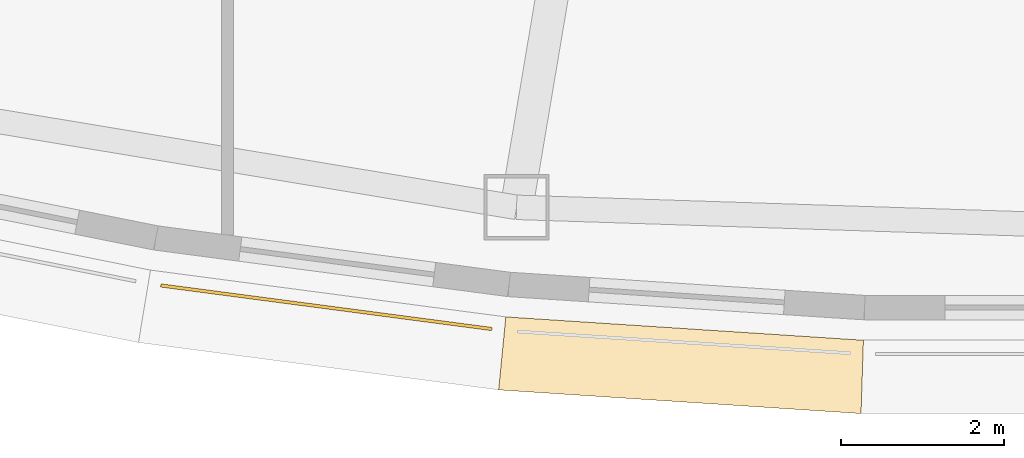
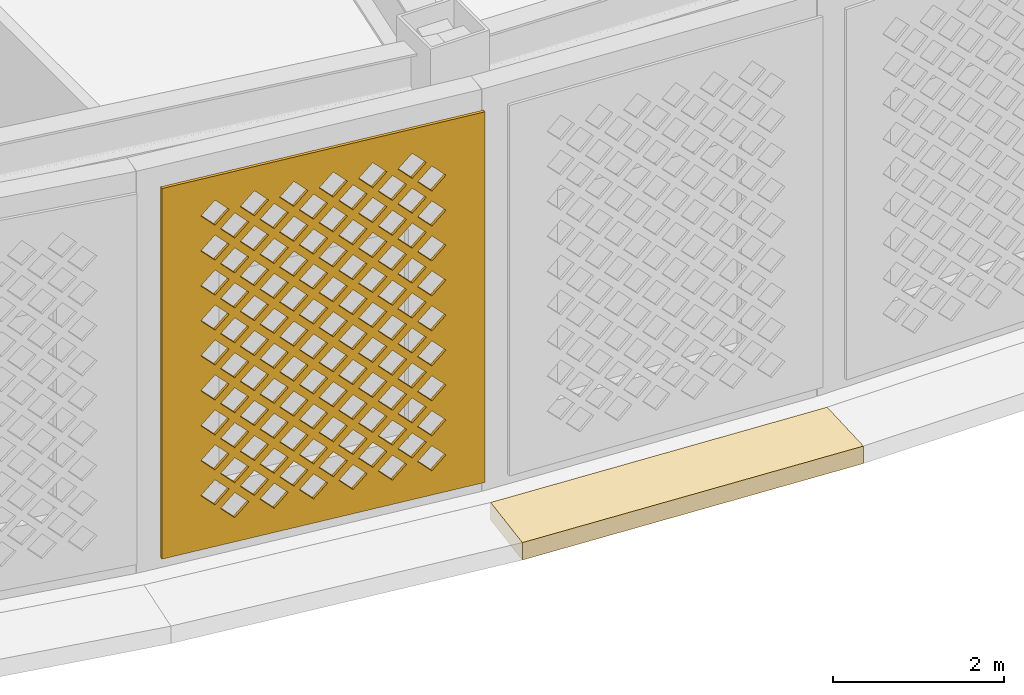
# One storey, part 56 of 74: 2 coverings.
"""IFC4 building model written with IfcOpenShell, lengths in metres."""

from ifc_helpers import new_model, si_unit, direction, frame, origin, place, context, subcontext, project, spatial, polyline, outline, extrude, material, layer, layer_set, type_object, element, save


model = new_model("IFC4")

# Units and contexts
model_context = context("Model", 3, precision=1e-05, world=origin(), true_north=direction((0.0, 1.0)))
body_context = subcontext(model_context, "Body", "Model", "MODEL_VIEW")
ifc_project = project(units=[si_unit("LENGTHUNIT", "METRE"), si_unit("AREAUNIT", "SQUARE_METRE"), si_unit("VOLUMEUNIT", "CUBIC_METRE"), si_unit("PLANEANGLEUNIT", "RADIAN"), si_unit("MASSUNIT", "GRAM", prefix="KILO")], contexts=[model_context])

# Site, building, storey
site_placement = place(None, origin())
site = spatial("IfcSite", under=ifc_project, at=site_placement, CompositionType="ELEMENT")
building_placement = place(site_placement, origin())
building = spatial("IfcBuilding", under=site, at=building_placement, Name="Noorbagh Ring Tower", CompositionType="ELEMENT")
storey_placement = place(building_placement, frame((0.0, 0.0, 13.5)))
storey = spatial("IfcBuildingStorey", under=building, at=storey_placement, Name="L02", CompositionType="ELEMENT", Elevation=13.5)

# Coverings
ifc_material_1 = material(Name="Red sandstone eave", Category="masonry")
covering_type_1 = type_object("IfcCoveringType", Name="STY-CHHAJJA", PredefinedType="USERDEFINED", material=ifc_material_1)
covering_1_placement = place(storey_placement, frame((0.0, 0.0, -0.25)))
element("IfcCovering", 1, at=covering_1_placement, inside=storey, type_object=covering_type_1, Name="Chhajja eave", ObjectType="CHHAJJA", PredefinedType="USERDEFINED", context=body_context, shape_type="SweptSolid", body=[
    extrude(outline(polyline([(-6.586181640625, -39.677978515625), (-2.198486328125, -39.964111328125), (-2.227783203125, -40.8642578125), (-6.67431640625, -40.573974609375), (-6.586181640625, -39.677978515625)])), origin(), (0.0, 0.0, 1.0), 0.25),
])
ifc_material_2 = material(Name="Red sandstone jali", Category="masonry")
ifc_layer = layer(ifc_material_2, 0.0400390625)
ifc_layer_set = layer_set([ifc_layer], Name="Red sandstone jali")
covering_type_2 = type_object("IfcCoveringType", Name="STY-JALI", PredefinedType="USERDEFINED", material=ifc_layer_set)
covering_2_placement = place(storey_placement, frame((-10.82177734375, -39.311767578125, 0.449951171875), z_axis=(-0.130559329934, -0.991440498148, 0.0), x_axis=(0.991440498148, -0.130559329934, 0.0)))
element("IfcCovering", 2, at=covering_2_placement, inside=storey, type_object=covering_type_2, Name="Jali screen", ObjectType="SCREEN", PredefinedType="USERDEFINED", context=body_context, shape_type="SweptSolid", body=[
    extrude(outline(polyline([(0.0, 0.0), (4.09716796875, 0.0), (4.09716796875, 5.300048828125), (0.0, 5.300048828125), (0.0, 0.0)]), holes=[polyline([(0.743408203125, 0.52490234375), (0.923583984375, 0.344970703125), (1.103515625, 0.52490234375), (0.923583984375, 0.705078125), (0.743408203125, 0.52490234375)]), polyline([(1.243408203125, 0.52490234375), (1.423583984375, 0.344970703125), (1.603515625, 0.52490234375), (1.423583984375, 0.705078125), (1.243408203125, 0.52490234375)]), polyline([(1.743408203125, 0.52490234375), (1.923583984375, 0.344970703125), (2.103515625, 0.52490234375), (1.923583984375, 0.705078125), (1.743408203125, 0.52490234375)]), polyline([(2.243408203125, 0.52490234375), (2.423583984375, 0.344970703125), (2.603515625, 0.52490234375), (2.423583984375, 0.705078125), (2.243408203125, 0.52490234375)]), polyline([(2.743408203125, 0.52490234375), (2.923583984375, 0.344970703125), (3.103515625, 0.52490234375), (2.923583984375, 0.705078125), (2.743408203125, 0.52490234375)]), polyline([(3.243408203125, 0.52490234375), (3.423583984375, 0.344970703125), (3.603515625, 0.52490234375), (3.423583984375, 0.705078125), (3.243408203125, 0.52490234375)]), polyline([(0.493408203125, 0.77490234375), (0.673583984375, 0.594970703125), (0.853515625, 0.77490234375), (0.673583984375, 0.955078125), (0.493408203125, 0.77490234375)]), polyline([(0.993408203125, 0.77490234375), (1.173583984375, 0.594970703125), (1.353515625, 0.77490234375), (1.173583984375, 0.955078125), (0.993408203125, 0.77490234375)]), polyline([(1.493408203125, 0.77490234375), (1.673583984375, 0.594970703125), (1.853515625, 0.77490234375), (1.673583984375, 0.955078125), (1.493408203125, 0.77490234375)]), polyline([(1.993408203125, 0.77490234375), (2.173583984375, 0.594970703125), (2.353515625, 0.77490234375), (2.173583984375, 0.955078125), (1.993408203125, 0.77490234375)]), polyline([(2.493408203125, 0.77490234375), (2.673583984375, 0.594970703125), (2.853515625, 0.77490234375), (2.673583984375, 0.955078125), (2.493408203125, 0.77490234375)]), polyline([(2.993408203125, 0.77490234375), (3.173583984375, 0.594970703125), (3.353515625, 0.77490234375), (3.173583984375, 0.955078125), (2.993408203125, 0.77490234375)]), polyline([(0.743408203125, 1.02490234375), (0.923583984375, 0.844970703125), (1.103515625, 1.02490234375), (0.923583984375, 1.205078125), (0.743408203125, 1.02490234375)]), polyline([(1.243408203125, 1.02490234375), (1.423583984375, 0.844970703125), (1.603515625, 1.02490234375), (1.423583984375, 1.205078125), (1.243408203125, 1.02490234375)]), polyline([(1.743408203125, 1.02490234375), (1.923583984375, 0.844970703125), (2.103515625, 1.02490234375), (1.923583984375, 1.205078125), (1.743408203125, 1.02490234375)]), polyline([(2.243408203125, 1.02490234375), (2.423583984375, 0.844970703125), (2.603515625, 1.02490234375), (2.423583984375, 1.205078125), (2.243408203125, 1.02490234375)]), polyline([(2.743408203125, 1.02490234375), (2.923583984375, 0.844970703125), (3.103515625, 1.02490234375), (2.923583984375, 1.205078125), (2.743408203125, 1.02490234375)]), polyline([(3.243408203125, 1.02490234375), (3.423583984375, 0.844970703125), (3.603515625, 1.02490234375), (3.423583984375, 1.205078125), (3.243408203125, 1.02490234375)]), polyline([(0.493408203125, 1.27490234375), (0.673583984375, 1.094970703125), (0.853515625, 1.27490234375), (0.673583984375, 1.455078125), (0.493408203125, 1.27490234375)]), polyline([(0.993408203125, 1.27490234375), (1.173583984375, 1.094970703125), (1.353515625, 1.27490234375), (1.173583984375, 1.455078125), (0.993408203125, 1.27490234375)]), polyline([(1.493408203125, 1.27490234375), (1.673583984375, 1.094970703125), (1.853515625, 1.27490234375), (1.673583984375, 1.455078125), (1.493408203125, 1.27490234375)]), polyline([(1.993408203125, 1.27490234375), (2.173583984375, 1.094970703125), (2.353515625, 1.27490234375), (2.173583984375, 1.455078125), (1.993408203125, 1.27490234375)]), polyline([(2.493408203125, 1.27490234375), (2.673583984375, 1.094970703125), (2.853515625, 1.27490234375), (2.673583984375, 1.455078125), (2.493408203125, 1.27490234375)]), polyline([(2.993408203125, 1.27490234375), (3.173583984375, 1.094970703125), (3.353515625, 1.27490234375), (3.173583984375, 1.455078125), (2.993408203125, 1.27490234375)]), polyline([(0.743408203125, 1.52490234375), (0.923583984375, 1.344970703125), (1.103515625, 1.52490234375), (0.923583984375, 1.705078125), (0.743408203125, 1.52490234375)]), polyline([(1.243408203125, 1.52490234375), (1.423583984375, 1.344970703125), (1.603515625, 1.52490234375), (1.423583984375, 1.705078125), (1.243408203125, 1.52490234375)]), polyline([(1.743408203125, 1.52490234375), (1.923583984375, 1.344970703125), (2.103515625, 1.52490234375), (1.923583984375, 1.705078125), (1.743408203125, 1.52490234375)]), polyline([(2.243408203125, 1.52490234375), (2.423583984375, 1.344970703125), (2.603515625, 1.52490234375), (2.423583984375, 1.705078125), (2.243408203125, 1.52490234375)]), polyline([(2.743408203125, 1.52490234375), (2.923583984375, 1.344970703125), (3.103515625, 1.52490234375), (2.923583984375, 1.705078125), (2.743408203125, 1.52490234375)]), polyline([(3.243408203125, 1.52490234375), (3.423583984375, 1.344970703125), (3.603515625, 1.52490234375), (3.423583984375, 1.705078125), (3.243408203125, 1.52490234375)]), polyline([(0.493408203125, 1.77490234375), (0.673583984375, 1.594970703125), (0.853515625, 1.77490234375), (0.673583984375, 1.955078125), (0.493408203125, 1.77490234375)]), polyline([(0.993408203125, 1.77490234375), (1.173583984375, 1.594970703125), (1.353515625, 1.77490234375), (1.173583984375, 1.955078125), (0.993408203125, 1.77490234375)]), polyline([(1.493408203125, 1.77490234375), (1.673583984375, 1.594970703125), (1.853515625, 1.77490234375), (1.673583984375, 1.955078125), (1.493408203125, 1.77490234375)]), polyline([(1.993408203125, 1.77490234375), (2.173583984375, 1.594970703125), (2.353515625, 1.77490234375), (2.173583984375, 1.955078125), (1.993408203125, 1.77490234375)]), polyline([(2.493408203125, 1.77490234375), (2.673583984375, 1.594970703125), (2.853515625, 1.77490234375), (2.673583984375, 1.955078125), (2.493408203125, 1.77490234375)]), polyline([(2.993408203125, 1.77490234375), (3.173583984375, 1.594970703125), (3.353515625, 1.77490234375), (3.173583984375, 1.955078125), (2.993408203125, 1.77490234375)]), polyline([(0.743408203125, 2.02490234375), (0.923583984375, 1.844970703125), (1.103515625, 2.02490234375), (0.923583984375, 2.205078125), (0.743408203125, 2.02490234375)]), polyline([(1.243408203125, 2.02490234375), (1.423583984375, 1.844970703125), (1.603515625, 2.02490234375), (1.423583984375, 2.205078125), (1.243408203125, 2.02490234375)]), polyline([(1.743408203125, 2.02490234375), (1.923583984375, 1.844970703125), (2.103515625, 2.02490234375), (1.923583984375, 2.205078125), (1.743408203125, 2.02490234375)]), polyline([(2.243408203125, 2.02490234375), (2.423583984375, 1.844970703125), (2.603515625, 2.02490234375), (2.423583984375, 2.205078125), (2.243408203125, 2.02490234375)]), polyline([(2.743408203125, 2.02490234375), (2.923583984375, 1.844970703125), (3.103515625, 2.02490234375), (2.923583984375, 2.205078125), (2.743408203125, 2.02490234375)]), polyline([(3.243408203125, 2.02490234375), (3.423583984375, 1.844970703125), (3.603515625, 2.02490234375), (3.423583984375, 2.205078125), (3.243408203125, 2.02490234375)]), polyline([(0.493408203125, 2.27490234375), (0.673583984375, 2.094970703125), (0.853515625, 2.27490234375), (0.673583984375, 2.455078125), (0.493408203125, 2.27490234375)]), polyline([(0.993408203125, 2.27490234375), (1.173583984375, 2.094970703125), (1.353515625, 2.27490234375), (1.173583984375, 2.455078125), (0.993408203125, 2.27490234375)]), polyline([(1.493408203125, 2.27490234375), (1.673583984375, 2.094970703125), (1.853515625, 2.27490234375), (1.673583984375, 2.455078125), (1.493408203125, 2.27490234375)]), polyline([(1.993408203125, 2.27490234375), (2.173583984375, 2.094970703125), (2.353515625, 2.27490234375), (2.173583984375, 2.455078125), (1.993408203125, 2.27490234375)]), polyline([(2.493408203125, 2.27490234375), (2.673583984375, 2.094970703125), (2.853515625, 2.27490234375), (2.673583984375, 2.455078125), (2.493408203125, 2.27490234375)]), polyline([(2.993408203125, 2.27490234375), (3.173583984375, 2.094970703125), (3.353515625, 2.27490234375), (3.173583984375, 2.455078125), (2.993408203125, 2.27490234375)]), polyline([(0.743408203125, 2.52490234375), (0.923583984375, 2.344970703125), (1.103515625, 2.52490234375), (0.923583984375, 2.705078125), (0.743408203125, 2.52490234375)]), polyline([(1.243408203125, 2.52490234375), (1.423583984375, 2.344970703125), (1.603515625, 2.52490234375), (1.423583984375, 2.705078125), (1.243408203125, 2.52490234375)]), polyline([(1.743408203125, 2.52490234375), (1.923583984375, 2.344970703125), (2.103515625, 2.52490234375), (1.923583984375, 2.705078125), (1.743408203125, 2.52490234375)]), polyline([(2.243408203125, 2.52490234375), (2.423583984375, 2.344970703125), (2.603515625, 2.52490234375), (2.423583984375, 2.705078125), (2.243408203125, 2.52490234375)]), polyline([(2.743408203125, 2.52490234375), (2.923583984375, 2.344970703125), (3.103515625, 2.52490234375), (2.923583984375, 2.705078125), (2.743408203125, 2.52490234375)]), polyline([(3.243408203125, 2.52490234375), (3.423583984375, 2.344970703125), (3.603515625, 2.52490234375), (3.423583984375, 2.705078125), (3.243408203125, 2.52490234375)]), polyline([(0.493408203125, 2.77490234375), (0.673583984375, 2.594970703125), (0.853515625, 2.77490234375), (0.673583984375, 2.955078125), (0.493408203125, 2.77490234375)]), polyline([(0.993408203125, 2.77490234375), (1.173583984375, 2.594970703125), (1.353515625, 2.77490234375), (1.173583984375, 2.955078125), (0.993408203125, 2.77490234375)]), polyline([(1.493408203125, 2.77490234375), (1.673583984375, 2.594970703125), (1.853515625, 2.77490234375), (1.673583984375, 2.955078125), (1.493408203125, 2.77490234375)]), polyline([(1.993408203125, 2.77490234375), (2.173583984375, 2.594970703125), (2.353515625, 2.77490234375), (2.173583984375, 2.955078125), (1.993408203125, 2.77490234375)]), polyline([(2.493408203125, 2.77490234375), (2.673583984375, 2.594970703125), (2.853515625, 2.77490234375), (2.673583984375, 2.955078125), (2.493408203125, 2.77490234375)]), polyline([(2.993408203125, 2.77490234375), (3.173583984375, 2.594970703125), (3.353515625, 2.77490234375), (3.173583984375, 2.955078125), (2.993408203125, 2.77490234375)]), polyline([(0.743408203125, 3.02490234375), (0.923583984375, 2.844970703125), (1.103515625, 3.02490234375), (0.923583984375, 3.205078125), (0.743408203125, 3.02490234375)]), polyline([(1.243408203125, 3.02490234375), (1.423583984375, 2.844970703125), (1.603515625, 3.02490234375), (1.423583984375, 3.205078125), (1.243408203125, 3.02490234375)]), polyline([(1.743408203125, 3.02490234375), (1.923583984375, 2.844970703125), (2.103515625, 3.02490234375), (1.923583984375, 3.205078125), (1.743408203125, 3.02490234375)]), polyline([(2.243408203125, 3.02490234375), (2.423583984375, 2.844970703125), (2.603515625, 3.02490234375), (2.423583984375, 3.205078125), (2.243408203125, 3.02490234375)]), polyline([(2.743408203125, 3.02490234375), (2.923583984375, 2.844970703125), (3.103515625, 3.02490234375), (2.923583984375, 3.205078125), (2.743408203125, 3.02490234375)]), polyline([(3.243408203125, 3.02490234375), (3.423583984375, 2.844970703125), (3.603515625, 3.02490234375), (3.423583984375, 3.205078125), (3.243408203125, 3.02490234375)]), polyline([(0.493408203125, 3.27490234375), (0.673583984375, 3.094970703125), (0.853515625, 3.27490234375), (0.673583984375, 3.455078125), (0.493408203125, 3.27490234375)]), polyline([(0.993408203125, 3.27490234375), (1.173583984375, 3.094970703125), (1.353515625, 3.27490234375), (1.173583984375, 3.455078125), (0.993408203125, 3.27490234375)]), polyline([(1.493408203125, 3.27490234375), (1.673583984375, 3.094970703125), (1.853515625, 3.27490234375), (1.673583984375, 3.455078125), (1.493408203125, 3.27490234375)]), polyline([(1.993408203125, 3.27490234375), (2.173583984375, 3.094970703125), (2.353515625, 3.27490234375), (2.173583984375, 3.455078125), (1.993408203125, 3.27490234375)]), polyline([(2.493408203125, 3.27490234375), (2.673583984375, 3.094970703125), (2.853515625, 3.27490234375), (2.673583984375, 3.455078125), (2.493408203125, 3.27490234375)]), polyline([(2.993408203125, 3.27490234375), (3.173583984375, 3.094970703125), (3.353515625, 3.27490234375), (3.173583984375, 3.455078125), (2.993408203125, 3.27490234375)]), polyline([(0.743408203125, 3.52490234375), (0.923583984375, 3.344970703125), (1.103515625, 3.52490234375), (0.923583984375, 3.705078125), (0.743408203125, 3.52490234375)]), polyline([(1.243408203125, 3.52490234375), (1.423583984375, 3.344970703125), (1.603515625, 3.52490234375), (1.423583984375, 3.705078125), (1.243408203125, 3.52490234375)]), polyline([(1.743408203125, 3.52490234375), (1.923583984375, 3.344970703125), (2.103515625, 3.52490234375), (1.923583984375, 3.705078125), (1.743408203125, 3.52490234375)]), polyline([(2.243408203125, 3.52490234375), (2.423583984375, 3.344970703125), (2.603515625, 3.52490234375), (2.423583984375, 3.705078125), (2.243408203125, 3.52490234375)]), polyline([(2.743408203125, 3.52490234375), (2.923583984375, 3.344970703125), (3.103515625, 3.52490234375), (2.923583984375, 3.705078125), (2.743408203125, 3.52490234375)]), polyline([(3.243408203125, 3.52490234375), (3.423583984375, 3.344970703125), (3.603515625, 3.52490234375), (3.423583984375, 3.705078125), (3.243408203125, 3.52490234375)]), polyline([(0.493408203125, 3.77490234375), (0.673583984375, 3.594970703125), (0.853515625, 3.77490234375), (0.673583984375, 3.955078125), (0.493408203125, 3.77490234375)]), polyline([(0.993408203125, 3.77490234375), (1.173583984375, 3.594970703125), (1.353515625, 3.77490234375), (1.173583984375, 3.955078125), (0.993408203125, 3.77490234375)]), polyline([(1.493408203125, 3.77490234375), (1.673583984375, 3.594970703125), (1.853515625, 3.77490234375), (1.673583984375, 3.955078125), (1.493408203125, 3.77490234375)]), polyline([(1.993408203125, 3.77490234375), (2.173583984375, 3.594970703125), (2.353515625, 3.77490234375), (2.173583984375, 3.955078125), (1.993408203125, 3.77490234375)]), polyline([(2.493408203125, 3.77490234375), (2.673583984375, 3.594970703125), (2.853515625, 3.77490234375), (2.673583984375, 3.955078125), (2.493408203125, 3.77490234375)]), polyline([(2.993408203125, 3.77490234375), (3.173583984375, 3.594970703125), (3.353515625, 3.77490234375), (3.173583984375, 3.955078125), (2.993408203125, 3.77490234375)]), polyline([(0.743408203125, 4.02490234375), (0.923583984375, 3.844970703125), (1.103515625, 4.02490234375), (0.923583984375, 4.205078125), (0.743408203125, 4.02490234375)]), polyline([(1.243408203125, 4.02490234375), (1.423583984375, 3.844970703125), (1.603515625, 4.02490234375), (1.423583984375, 4.205078125), (1.243408203125, 4.02490234375)]), polyline([(1.743408203125, 4.02490234375), (1.923583984375, 3.844970703125), (2.103515625, 4.02490234375), (1.923583984375, 4.205078125), (1.743408203125, 4.02490234375)]), polyline([(2.243408203125, 4.02490234375), (2.423583984375, 3.844970703125), (2.603515625, 4.02490234375), (2.423583984375, 4.205078125), (2.243408203125, 4.02490234375)]), polyline([(2.743408203125, 4.02490234375), (2.923583984375, 3.844970703125), (3.103515625, 4.02490234375), (2.923583984375, 4.205078125), (2.743408203125, 4.02490234375)]), polyline([(3.243408203125, 4.02490234375), (3.423583984375, 3.844970703125), (3.603515625, 4.02490234375), (3.423583984375, 4.205078125), (3.243408203125, 4.02490234375)]), polyline([(0.493408203125, 4.27490234375), (0.673583984375, 4.094970703125), (0.853515625, 4.27490234375), (0.673583984375, 4.455078125), (0.493408203125, 4.27490234375)]), polyline([(0.993408203125, 4.27490234375), (1.173583984375, 4.094970703125), (1.353515625, 4.27490234375), (1.173583984375, 4.455078125), (0.993408203125, 4.27490234375)]), polyline([(1.493408203125, 4.27490234375), (1.673583984375, 4.094970703125), (1.853515625, 4.27490234375), (1.673583984375, 4.455078125), (1.493408203125, 4.27490234375)]), polyline([(1.993408203125, 4.27490234375), (2.173583984375, 4.094970703125), (2.353515625, 4.27490234375), (2.173583984375, 4.455078125), (1.993408203125, 4.27490234375)]), polyline([(2.493408203125, 4.27490234375), (2.673583984375, 4.094970703125), (2.853515625, 4.27490234375), (2.673583984375, 4.455078125), (2.493408203125, 4.27490234375)]), polyline([(2.993408203125, 4.27490234375), (3.173583984375, 4.094970703125), (3.353515625, 4.27490234375), (3.173583984375, 4.455078125), (2.993408203125, 4.27490234375)]), polyline([(0.743408203125, 4.52490234375), (0.923583984375, 4.344970703125), (1.103515625, 4.52490234375), (0.923583984375, 4.705078125), (0.743408203125, 4.52490234375)]), polyline([(1.243408203125, 4.52490234375), (1.423583984375, 4.344970703125), (1.603515625, 4.52490234375), (1.423583984375, 4.705078125), (1.243408203125, 4.52490234375)]), polyline([(1.743408203125, 4.52490234375), (1.923583984375, 4.344970703125), (2.103515625, 4.52490234375), (1.923583984375, 4.705078125), (1.743408203125, 4.52490234375)]), polyline([(2.243408203125, 4.52490234375), (2.423583984375, 4.344970703125), (2.603515625, 4.52490234375), (2.423583984375, 4.705078125), (2.243408203125, 4.52490234375)]), polyline([(2.743408203125, 4.52490234375), (2.923583984375, 4.344970703125), (3.103515625, 4.52490234375), (2.923583984375, 4.705078125), (2.743408203125, 4.52490234375)]), polyline([(3.243408203125, 4.52490234375), (3.423583984375, 4.344970703125), (3.603515625, 4.52490234375), (3.423583984375, 4.705078125), (3.243408203125, 4.52490234375)]), polyline([(0.493408203125, 4.77490234375), (0.673583984375, 4.594970703125), (0.853515625, 4.77490234375), (0.673583984375, 4.955078125), (0.493408203125, 4.77490234375)]), polyline([(0.993408203125, 4.77490234375), (1.173583984375, 4.594970703125), (1.353515625, 4.77490234375), (1.173583984375, 4.955078125), (0.993408203125, 4.77490234375)]), polyline([(1.493408203125, 4.77490234375), (1.673583984375, 4.594970703125), (1.853515625, 4.77490234375), (1.673583984375, 4.955078125), (1.493408203125, 4.77490234375)]), polyline([(1.993408203125, 4.77490234375), (2.173583984375, 4.594970703125), (2.353515625, 4.77490234375), (2.173583984375, 4.955078125), (1.993408203125, 4.77490234375)]), polyline([(2.493408203125, 4.77490234375), (2.673583984375, 4.594970703125), (2.853515625, 4.77490234375), (2.673583984375, 4.955078125), (2.493408203125, 4.77490234375)]), polyline([(2.993408203125, 4.77490234375), (3.173583984375, 4.594970703125), (3.353515625, 4.77490234375), (3.173583984375, 4.955078125), (2.993408203125, 4.77490234375)])]), origin(), (0.0, 0.0, -1.0), 0.0400390625),
])

save(model, "model.ifc")
